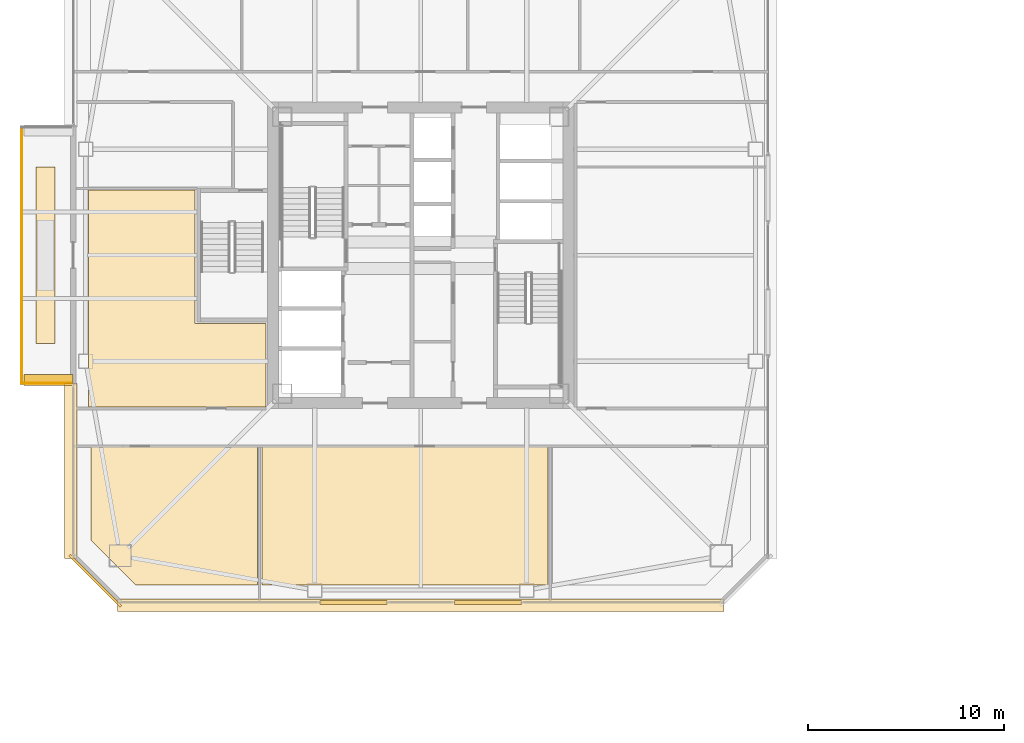
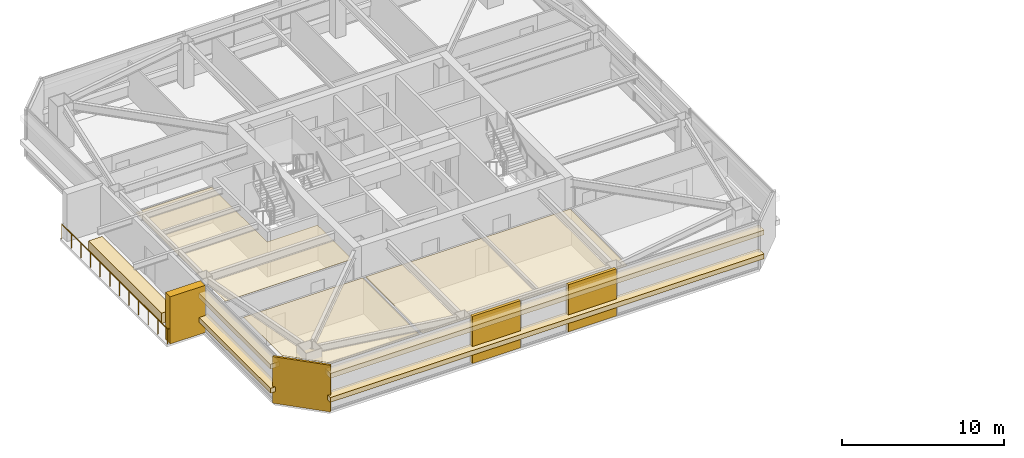
# One storey, part 37 of 43: 12 coverings, 2 railings.
"""IFC4 building model written with IfcOpenShell, lengths in metres."""

import ifcopenshell
import ifcopenshell.guid

model = None  # the IFC model being written
_history = None  # IfcOwnerHistory: only IFC2X3 demands one
_inside = {}  # id of a spatial element -> (the spatial element, [elements in it])
_under = {}  # id of a project, library or spatial element -> (it, [spatial elements below it])
_declared = {}  # id of a project -> (the project, [libraries it declares])
_typed = {}  # id of a type object -> (the type object, [elements of that type])
_made_of = {}  # id of a material, layer set ... -> (it, [elements and type objects made of it])


def new_model(schema):
    """Start an empty IFC model of exactly this schema.

    Asked for "IFC4X3", IfcOpenShell would pick the latest addendum, in which some entities
    have other attributes; the version numbers below select the first issue.
    IFC2X3 requires an IfcOwnerHistory on every rooted entity: one is made here for all.
    """
    global model, _history
    if schema == "IFC4X3":
        model = ifcopenshell.file(schema_version=(4, 3, 0, 0))
    else:
        model = ifcopenshell.file(schema=schema)
    _inside.clear()
    _under.clear()
    _declared.clear()
    _typed.clear()
    _made_of.clear()
    _history = None
    if model.schema == "IFC2X3":
        org = make("IfcOrganization", Name="unknown")
        user = make(
            "IfcPersonAndOrganization",
            ThePerson=make("IfcPerson", FamilyName="unknown"),
            TheOrganization=org,
        )
        app = make(
            "IfcApplication",
            ApplicationDeveloper=org,
            Version="unknown",
            ApplicationFullName="unknown",
            ApplicationIdentifier="unknown",
        )
        _history = make(
            "IfcOwnerHistory",
            OwningUser=user,
            OwningApplication=app,
            ChangeAction="ADDED",
            CreationDate=0,
        )
    return model


def make(cls, **values):
    """One entity of the class cls with the attributes given. An attribute that is None is left unset."""
    return model.create_entity(
        cls, **{name: value for name, value in values.items() if value is not None}
    )


def rooted(cls, **values):
    """An entity with a GlobalId (a new one), such as an element, a storey or a relation."""
    return make(cls, GlobalId=ifcopenshell.guid.new(), OwnerHistory=_history, **values)


def si_unit(unit_type, name, prefix=None):
    """IfcSIUnit, for example si_unit("LENGTHUNIT", "METRE", prefix="MILLI")."""
    return make("IfcSIUnit", UnitType=unit_type, Prefix=prefix, Name=name)


def assignment(units):
    """IfcUnitAssignment: the units of a project."""
    return None if units is None else make("IfcUnitAssignment", Units=units)


def point(xyz):
    """IfcCartesianPoint."""
    return None if xyz is None else make("IfcCartesianPoint", Coordinates=xyz)


def direction(xyz):
    """IfcDirection."""
    return None if xyz is None else make("IfcDirection", DirectionRatios=xyz)


def frame(location, z_axis=None, x_axis=None):
    """IfcAxis2Placement3D, a coordinate frame: its origin and axes. An axis left out is left unset."""
    return make(
        "IfcAxis2Placement3D",
        Location=point(location),
        Axis=direction(z_axis),
        RefDirection=direction(x_axis),
    )


def frame_2d(location, x_axis=None):
    """IfcAxis2Placement2D, a coordinate frame in the plane: its origin and x axis."""
    return make(
        "IfcAxis2Placement2D", Location=point(location), RefDirection=direction(x_axis)
    )


def origin():
    """The frame at (0, 0, 0) with its axes left unset."""
    return frame((0.0, 0.0, 0.0))


def origin_2d():
    """The frame at (0, 0) in the plane with its x axis left unset."""
    return frame_2d((0.0, 0.0))


def place(relative_to, where):
    """IfcLocalPlacement: puts the frame where relative to a parent placement (None: the world)."""
    return make(
        "IfcLocalPlacement", PlacementRelTo=relative_to, RelativePlacement=where
    )


def context(
    kind, dimensions, precision=None, world=None, true_north=None, identifier=None
):
    """IfcGeometricRepresentationContext, for example the 3D "Model" context."""
    return make(
        "IfcGeometricRepresentationContext",
        ContextIdentifier=identifier,
        ContextType=kind,
        CoordinateSpaceDimension=dimensions,
        Precision=precision,
        WorldCoordinateSystem=world,
        TrueNorth=true_north,
    )


def subcontext(parent, identifier, kind, view, scale=None):
    """IfcGeometricRepresentationSubContext, for example "Body" below "Model"."""
    return make(
        "IfcGeometricRepresentationSubContext",
        ContextIdentifier=identifier,
        ContextType=kind,
        ParentContext=parent,
        TargetScale=scale,
        TargetView=view,
    )


def project(units=None, contexts=None):
    """IfcProject with its units and contexts."""
    return rooted(
        "IfcProject",
        Name="project",
        RepresentationContexts=contexts,
        UnitsInContext=assignment(units),
    )


def spatial(cls, under=None, at=None, **own):
    """A site, building, storey or space (cls), placed at a placement, below another one or the project."""
    s = rooted(cls, ObjectPlacement=at, **own)
    if under is not None:
        _under.setdefault(under.id(), (under, []))[1].append(s)
    return s


def polyline(points):
    """IfcPolyline through the points."""
    return make("IfcPolyline", Points=[point(p) for p in points])


def profile(cls, at=None, kind="AREA", **sizes):
    """A parametric profile (cls). Its sizes go by their IFC names, for example OverallWidth=200.0."""
    return make(cls, ProfileType=kind, Position=at, **sizes)


def rectangle(**sizes):
    """IfcRectangleProfileDef."""
    return profile("IfcRectangleProfileDef", **sizes)


def outline(outer, holes=None, kind="AREA"):
    """IfcArbitraryClosedProfileDef: a profile drawn as a closed curve; with holes, ...WithVoids."""
    if holes is None:
        return make("IfcArbitraryClosedProfileDef", ProfileType=kind, OuterCurve=outer)
    return make(
        "IfcArbitraryProfileDefWithVoids",
        ProfileType=kind,
        OuterCurve=outer,
        InnerCurves=holes,
    )


def extrude(swept, where, along, depth):
    """IfcExtrudedAreaSolid: the profile swept, set in the frame where, extruded along a direction by depth."""
    return make(
        "IfcExtrudedAreaSolid",
        SweptArea=swept,
        Position=where,
        ExtrudedDirection=direction(along),
        Depth=depth,
    )


def shape(context_of_items, identifier, shape_type, items):
    """IfcShapeRepresentation: the items that make up one representation, for example the "Body"."""
    return make(
        "IfcShapeRepresentation",
        ContextOfItems=context_of_items,
        RepresentationIdentifier=identifier,
        RepresentationType=shape_type,
        Items=items,
    )


def material(Name=None, Category=None):
    """IfcMaterial."""
    return make("IfcMaterial", Name=Name, Category=Category)


def layer(
    of_material, thickness, ventilated=None, Name=None, Category=None, Priority=None
):
    """IfcMaterialLayer: one layer of a wall or slab, of a material (None: an air gap)."""
    return make(
        "IfcMaterialLayer",
        Material=of_material,
        LayerThickness=thickness,
        IsVentilated=ventilated,
        Name=Name,
        Category=Category,
        Priority=Priority,
    )


def layer_set(layers, Name=None):
    """IfcMaterialLayerSet."""
    return make("IfcMaterialLayerSet", MaterialLayers=layers, LayerSetName=Name)


def made_of(thing, what):
    """Note that an element or type object is made of a material, layer set ...; save() writes the relation."""
    if what is not None:
        _made_of.setdefault(what.id(), (what, []))[1].append(thing)
    return thing


def type_object(cls, material=None, **own):
    """A type object (cls), such as IfcWallType, which elements share."""
    return made_of(rooted(cls, **own), material)


def element(
    cls,
    number,
    at=None,
    inside=None,
    cuts=None,
    type_object=None,
    material=None,
    context=None,
    identifier="Body",
    shape_type=None,
    held_by="IfcProductDefinitionShape",
    body=None,
    shapes=None,
    **own,
):
    """One element of the class cls, such as IfcWall. Its Tag is "e" and its number.

    at: its placement. inside: the storey or other place that contains it. cuts: it is an
    opening in that element (IfcRelVoidsElement). A single representation is given by context,
    identifier, shape_type and body (its items); several are given by shapes. held_by: the class
    of the entity that holds the representations. save() writes the other relations.
    """
    e = rooted(cls, Tag="e%d" % number, ObjectPlacement=at, **own)
    if body is not None:
        shapes = [shape(context, identifier, shape_type, body)]
    if shapes is not None:
        e.Representation = make(held_by, Representations=shapes)
    if inside is not None:
        _inside.setdefault(inside.id(), (inside, []))[1].append(e)
    if cuts is not None:
        rooted(
            "IfcRelVoidsElement", RelatingBuildingElement=cuts, RelatedOpeningElement=e
        )
    if type_object is not None:
        _typed.setdefault(type_object.id(), (type_object, []))[1].append(e)
    return made_of(e, material)


def aggregate(whole, parts):
    """IfcRelAggregates: a whole, such as a stair, and the parts it consists of."""
    return rooted("IfcRelAggregates", RelatingObject=whole, RelatedObjects=parts)


def save(model, path):
    """Write the relations noted so far, then the file.

    IfcRelAggregates (storeys below a building ...), IfcRelContainedInSpatialStructure (elements
    in a storey), IfcRelDefinesByType, IfcRelAssociatesMaterial and IfcRelDeclares: one each for
    every whole, place, type object, material and project.
    """
    for whole, parts in _under.values():
        aggregate(whole, parts)
    for where, things in _inside.values():
        rooted(
            "IfcRelContainedInSpatialStructure",
            RelatedElements=things,
            RelatingStructure=where,
        )
    for kind, things in _typed.values():
        rooted("IfcRelDefinesByType", RelatedObjects=things, RelatingType=kind)
    for what, things in _made_of.values():
        rooted("IfcRelAssociatesMaterial", RelatedObjects=things, RelatingMaterial=what)
    for by, libraries in _declared.values():
        rooted("IfcRelDeclares", RelatingContext=by, RelatedDefinitions=libraries)
    model.write(path)


model = new_model("IFC4")

# Units and contexts
model_context = context("Model", 3, precision=1e-05, world=origin(), true_north=direction((0.0, 1.0)))
body_context = subcontext(model_context, "Body", "Model", "MODEL_VIEW")
ifc_project = project(units=[si_unit("LENGTHUNIT", "METRE"), si_unit("AREAUNIT", "SQUARE_METRE"), si_unit("VOLUMEUNIT", "CUBIC_METRE"), si_unit("PLANEANGLEUNIT", "RADIAN"), si_unit("MASSUNIT", "GRAM", prefix="KILO")], contexts=[model_context])

# Site, building, storey
site_placement = place(None, origin())
site = spatial("IfcSite", under=ifc_project, at=site_placement, CompositionType="ELEMENT")
building_placement = place(site_placement, origin())
building = spatial("IfcBuilding", under=site, at=building_placement, Name="Tashvorn Skyway Center", CompositionType="ELEMENT")
storey_placement = place(building_placement, frame((0.0, 0.0, 188.949951171875)))
storey = spatial("IfcBuildingStorey", under=building, at=storey_placement, Name="L51", CompositionType="ELEMENT", Elevation=188.949951171875)

# Coverings
ifc_material_1 = material(Name="Precast concrete C40/50", Category="concrete")
ifc_layer_1 = layer(ifc_material_1, 0.199951171875)
ifc_layer_set_1 = layer_set([ifc_layer_1], Name="Precast concrete C40/50")
covering_type_1 = type_object("IfcCoveringType", Name="COV-BRACE-CLAD", PredefinedType="CLADDING", material=ifc_layer_set_1)
for number, where, z_axis, x_axis, name in (
    (1, (45.417724609375, 14.320068359375, 0.0), (0.0, 0.0, 1.0), (-1.0, 0.0, 0.0), "Tower 1 L51 South Unitised Curtain Wall Mega-Brace Cladding Band 1"),
    (2, (38.582275390625, 14.320068359375, 0.0), (0.0, 0.0, 1.0), (-1.0, 0.0, 0.0), "Tower 1 L51 South Unitised Curtain Wall Mega-Brace Cladding Band 2"),
):
    element("IfcCovering", number, at=place(storey_placement, frame(where, z_axis=z_axis, x_axis=x_axis)), inside=storey, type_object=covering_type_1, Name=name, PredefinedType="CLADDING", context=body_context, shape_type="SweptSolid", body=[
        extrude(rectangle(XDim=3.417724609375, YDim=0.199951171875, at=origin_2d()), origin(), (0.0, 0.0, 1.0), 3.550048828125),
    ])
ifc_material_2 = material(Name="Mineral-fibre acoustic ceiling tile on suspended grid")
ifc_layer_2 = layer(ifc_material_2, 0.02001953125)
ifc_layer_set_2 = layer_set([ifc_layer_2], Name="Mineral-fibre acoustic ceiling tile on suspended grid")
covering_type_2 = type_object("IfcCoveringType", Name="COV-CEIL-20", PredefinedType="CEILING", material=ifc_layer_set_2)
covering_1_placement = place(storey_placement, frame((0.0, 0.0, 2.703125)))
element("IfcCovering", 3, at=covering_1_placement, inside=storey, type_object=covering_type_2, Name="Tower 1 L51 Research Library Acoustic Ceiling", PredefinedType="CEILING", context=body_context, shape_type="SweptSolid", body=[
    extrude(outline(polyline([(25.219970703125, 22.239990234375), (33.679931640625, 22.239990234375), (33.679931640625, 15.219970703125), (27.47998046875, 15.219970703125), (25.219970703125, 17.47998046875), (25.219970703125, 22.239990234375)])), origin(), (0.0, 0.0, 1.0), 0.02001953125),
])
covering_2_placement = place(storey_placement, frame((0.0, 0.0, 2.703125)))
element("IfcCovering", 4, at=covering_2_placement, inside=storey, type_object=covering_type_2, Name="Tower 1 L51 Collaborative Studio Acoustic Ceiling", PredefinedType="CEILING", context=body_context, shape_type="SweptSolid", body=[
    extrude(outline(polyline([(33.919921875, 22.239990234375), (48.47998046875, 22.239990234375), (48.47998046875, 15.219970703125), (33.919921875, 15.219970703125), (33.919921875, 22.239990234375)])), origin(), (0.0, 0.0, 1.0), 0.02001953125),
])
covering_3_placement = place(storey_placement, frame((0.0, 0.0, 2.703125)))
element("IfcCovering", 5, at=covering_3_placement, inside=storey, type_object=covering_type_2, Name="Tower 1 L51 Public Restroom Acoustic Ceiling", PredefinedType="CEILING", context=body_context, shape_type="SweptSolid", body=[
    extrude(outline(polyline([(34.1201171875, 24.280029296875), (25.10009765625, 24.280029296875), (25.10009765625, 28.52001953125), (25.10009765625, 35.320068359375), (30.52001953125, 35.320068359375), (30.52001953125, 28.52001953125), (34.1201171875, 28.52001953125), (34.1201171875, 24.280029296875)])), origin(), (0.0, 0.0, 1.0), 0.02001953125),
])
ifc_material_3 = material(Name="Perforated ceramic-coated bronze aluminium solar screen", Category="aluminium")
ifc_layer_3 = layer(ifc_material_3, 0.85009765625)
ifc_layer_set_3 = layer_set([ifc_layer_3], Name="Perforated ceramic-coated bronze aluminium solar screen")
covering_type_3 = type_object("IfcCoveringType", Name="COV-SOLAR-BAND", PredefinedType="CLADDING", material=ifc_layer_set_3)
for number, where, z_axis, x_axis, name in (
    (6, (42.0, 14.179931640625, 0.919921875), (0.0, 0.0, 1.0), (-1.0, 0.0, 0.0), "L51 Perforated Ceramic-Metal Solar Screen Louvre Band South 1"),
    (7, (42.0, 14.179931640625, 2.72021484375), (0.0, 0.0, 1.0), (-1.0, 0.0, 0.0), "L51 Perforated Ceramic-Metal Solar Screen Louvre Band South 2"),
):
    element("IfcCovering", number, at=place(storey_placement, frame(where, z_axis=z_axis, x_axis=x_axis)), inside=storey, type_object=covering_type_3, Name=name, PredefinedType="CLADDING", context=body_context, shape_type="SweptSolid", body=[
        extrude(rectangle(XDim=30.8798828125, YDim=0.639892578125, at=origin_2d()), origin(), (0.0, 0.0, 1.0), 0.360107421875),
    ])
for number, where, z_axis, x_axis, name in (
    (8, (24.179931640625, 21.010009765625, 0.919921875), (0.0, 0.0, 1.0), (0.0, 1.0, 0.0), "L51 Perforated Ceramic-Metal Solar Screen Louvre Band West 1"),
    (9, (24.179931640625, 21.010009765625, 2.72021484375), (0.0, 0.0, 1.0), (0.0, 1.0, 0.0), "L51 Perforated Ceramic-Metal Solar Screen Louvre Band West 2"),
):
    element("IfcCovering", number, at=place(storey_placement, frame(where, z_axis=z_axis, x_axis=x_axis)), inside=storey, type_object=covering_type_3, Name=name, PredefinedType="CLADDING", context=body_context, shape_type="SweptSolid", body=[
        extrude(rectangle(XDim=8.89990234375, YDim=0.639892578125, at=origin_2d()), origin(), (0.0, 0.0, 1.0), 0.360107421875),
    ])
ifc_layer_4 = layer(ifc_material_1, 0.35009765625)
ifc_layer_set_4 = layer_set([ifc_layer_4], Name="Precast concrete C40/50")
covering_type_4 = type_object("IfcCoveringType", Name="COV-STONE-TRIM", PredefinedType="CLADDING", material=ifc_layer_set_4)
covering_4_placement = place(storey_placement, frame((23.050048828125, 25.64990234375, 0.0), z_axis=(0.0, 0.0, 1.0), x_axis=(0.0, 1.0, 0.0)))
element("IfcCovering", 10, at=covering_4_placement, inside=storey, type_object=covering_type_4, Name="Tower 1 L51 Sky Garden Loggia Pier L", PredefinedType="CLADDING", context=body_context, shape_type="SweptSolid", body=[
    extrude(rectangle(XDim=0.580078125, YDim=2.5, at=origin_2d()), origin(), (0.0, 0.0, 1.0), 3.550048828125),
])
covering_5_placement = place(storey_placement, frame((22.89990234375, 32.0, 0.0), z_axis=(0.0, 0.0, 1.0), x_axis=(0.0, 1.0, 0.0)))
element("IfcCovering", 11, at=covering_5_placement, inside=storey, type_object=covering_type_4, Name="Tower 1 L51 Sky Garden Stone Planter Bed", PredefinedType="CLADDING", context=body_context, shape_type="SweptSolid", body=[
    extrude(rectangle(XDim=8.97607421875, YDim=0.949951171875, at=origin_2d()), origin(), (0.0, 0.0, 1.0), 0.800048828125),
])
covering_6_placement = place(storey_placement, frame((25.429931640625, 15.429931640625, 0.02001953125), z_axis=(0.0, 0.0, 1.0), x_axis=(-0.707106781187, 0.707106781187, 0.0)))
element("IfcCovering", 12, at=covering_6_placement, inside=storey, type_object=covering_type_4, Name="Tower 1 L51 SW Mojave Limestone Corner Quoin", PredefinedType="CLADDING", context=body_context, shape_type="SweptSolid", body=[
    extrude(rectangle(XDim=3.695556640625, YDim=0.139892578125, at=origin_2d()), origin(), (0.0, 0.0, 1.0), 3.510009765625),
])

# Railings
ifc_material_4 = material(Name="Galvanized steel S355", Category="steel")
railing_type = type_object("IfcRailingType", Name="RAIL-GUARD-1120", PredefinedType="GUARDRAIL", material=ifc_material_4)
railing_1_placement = place(storey_placement, frame((24.199951171875, 25.47998046875, 0.0)))
element("IfcRailing", 13, at=railing_1_placement, inside=storey, type_object=railing_type, Name="L51 Tower 1 Terrace Guardrail 01", PredefinedType="GUARDRAIL", context=body_context, shape_type="SweptSolid", body=[
    extrude(rectangle(XDim=0.048095703125, YDim=0.048095703125, at=origin_2d()), frame((0.0, 0.0, 1.09619140625), z_axis=(-1.0, 0.0, 0.0), x_axis=(0.0, -1.0, 0.0)), (0.0, 0.0, 1.0), 2.52001953125),
    extrude(rectangle(XDim=0.0419921875, YDim=0.0419921875, at=origin_2d()), origin(), (0.0, 0.0, 1.0), 1.072021484375),
    extrude(rectangle(XDim=0.0419921875, YDim=0.0419921875, at=origin_2d()), frame((-0.840087890625, 0.0, 0.0)), (0.0, 0.0, 1.0), 1.072021484375),
    extrude(rectangle(XDim=0.0419921875, YDim=0.0419921875, at=origin_2d()), frame((-1.679931640625, 0.0, 0.0)), (0.0, 0.0, 1.0), 1.072021484375),
    extrude(rectangle(XDim=0.0419921875, YDim=0.0419921875, at=origin_2d()), frame((-2.52001953125, 0.0, 0.0)), (0.0, 0.0, 1.0), 1.072021484375),
])
railing_2_placement = place(storey_placement, frame((21.679931640625, 25.47998046875, 0.0)))
element("IfcRailing", 14, at=railing_2_placement, inside=storey, type_object=railing_type, Name="L51 Tower 1 Terrace Guardrail 02", PredefinedType="GUARDRAIL", context=body_context, shape_type="SweptSolid", body=[
    extrude(rectangle(XDim=0.048095703125, YDim=0.048095703125, at=origin_2d()), frame((0.0, 0.0, 1.09619140625), z_axis=(0.0, 1.0, 0.0), x_axis=(-1.0, 0.0, 0.0)), (0.0, 0.0, 1.0), 13.0400390625),
    extrude(rectangle(XDim=0.0419921875, YDim=0.0419921875, at=origin_2d()), origin(), (0.0, 0.0, 1.0), 1.072021484375),
    extrude(rectangle(XDim=0.0419921875, YDim=0.0419921875, at=origin_2d()), frame((0.0, 1.185546875, 0.0)), (0.0, 0.0, 1.0), 1.072021484375),
    extrude(rectangle(XDim=0.0419921875, YDim=0.0419921875, at=origin_2d()), frame((0.0, 2.370849609375, 0.0)), (0.0, 0.0, 1.0), 1.072021484375),
    extrude(rectangle(XDim=0.0419921875, YDim=0.0419921875, at=origin_2d()), frame((0.0, 3.556396484375, 0.0)), (0.0, 0.0, 1.0), 1.072021484375),
    extrude(rectangle(XDim=0.0419921875, YDim=0.0419921875, at=origin_2d()), frame((0.0, 4.741943359375, 0.0)), (0.0, 0.0, 1.0), 1.072021484375),
    extrude(rectangle(XDim=0.0419921875, YDim=0.0419921875, at=origin_2d()), frame((0.0, 5.92724609375, 0.0)), (0.0, 0.0, 1.0), 1.072021484375),
    extrude(rectangle(XDim=0.0419921875, YDim=0.0419921875, at=origin_2d()), frame((0.0, 7.11279296875, 0.0)), (0.0, 0.0, 1.0), 1.072021484375),
    extrude(rectangle(XDim=0.0419921875, YDim=0.0419921875, at=origin_2d()), frame((0.0, 8.298095703125, 0.0)), (0.0, 0.0, 1.0), 1.072021484375),
    extrude(rectangle(XDim=0.0419921875, YDim=0.0419921875, at=origin_2d()), frame((0.0, 9.483642578125, 0.0)), (0.0, 0.0, 1.0), 1.072021484375),
    extrude(rectangle(XDim=0.0419921875, YDim=0.0419921875, at=origin_2d()), frame((0.0, 10.669189453125, 0.0)), (0.0, 0.0, 1.0), 1.072021484375),
    extrude(rectangle(XDim=0.0419921875, YDim=0.0419921875, at=origin_2d()), frame((0.0, 11.8544921875, 0.0)), (0.0, 0.0, 1.0), 1.072021484375),
    extrude(rectangle(XDim=0.0419921875, YDim=0.0419921875, at=origin_2d()), frame((0.0, 13.0400390625, 0.0)), (0.0, 0.0, 1.0), 1.072021484375),
])

save(model, "model.ifc")
